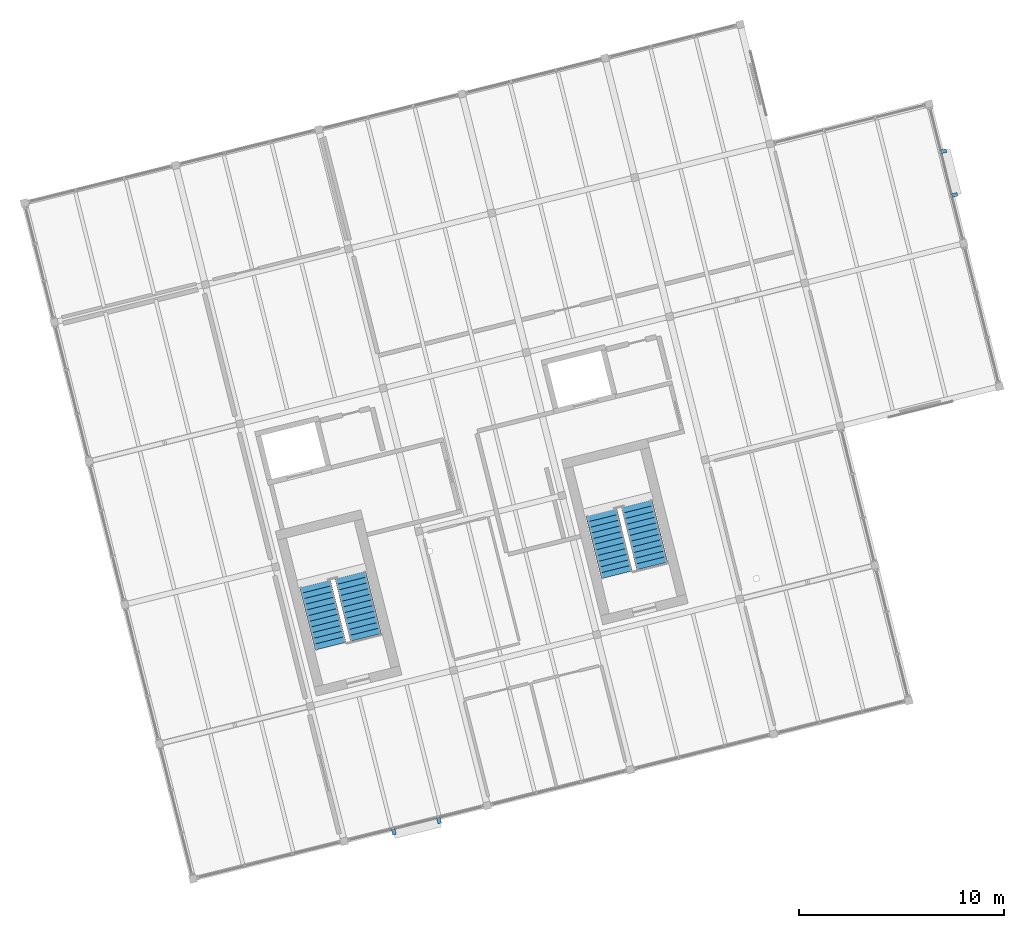
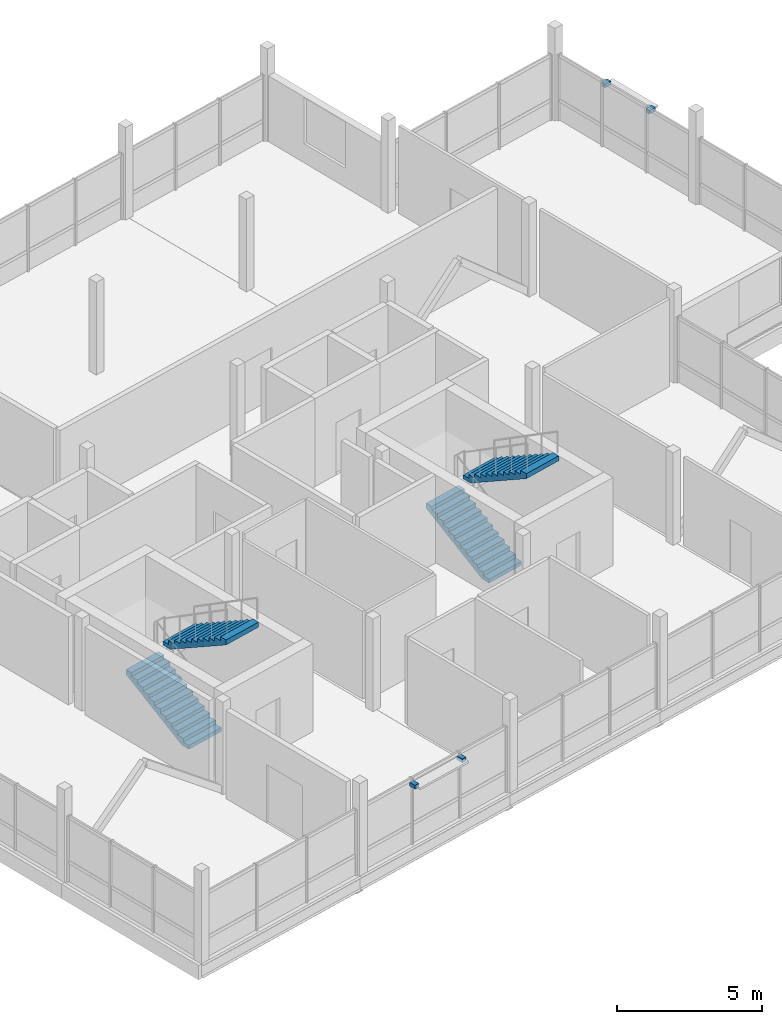
# One storey, part 25 of 26: 4 discrete accessories, 4 stair flights, 2 elements without a shape of their own.
"""IFC4 building model written with IfcOpenShell, lengths in metres."""

from ifc_helpers import new_model, si_unit, direction, frame, origin, origin_2d, place, context, subcontext, project, spatial, polyline, rectangle, outline, extrude, material, type_object, element, aggregate, save


model = new_model("IFC4")

# Units and contexts
model_context = context("Model", 3, precision=1e-05, world=origin(), true_north=direction((0.0, 1.0)))
body_context = subcontext(model_context, "Body", "Model", "MODEL_VIEW")
ifc_project = project(units=[si_unit("LENGTHUNIT", "METRE"), si_unit("AREAUNIT", "SQUARE_METRE"), si_unit("VOLUMEUNIT", "CUBIC_METRE"), si_unit("PLANEANGLEUNIT", "RADIAN"), si_unit("MASSUNIT", "GRAM", prefix="KILO")], contexts=[model_context])

# Site, building, storey
site_placement = place(None, origin())
site = spatial("IfcSite", under=ifc_project, at=site_placement, CompositionType="ELEMENT")
building_placement = place(site_placement, origin())
building = spatial("IfcBuilding", under=site, at=building_placement, Name="Meriwether Solvik Hall", CompositionType="ELEMENT")
storey_placement = place(building_placement, frame((0.0, 0.0, 41.699951171875)))
storey = spatial("IfcBuildingStorey", under=building, at=storey_placement, Name="L10", CompositionType="ELEMENT", Elevation=41.699951171875)

# Stair, stair flights
ifc_material_1 = material(Name="Concrete C40/50", Category="concrete")
stair_type = type_object("IfcStairType", Name="STR-CORE-DOGLEG-A", PredefinedType="TWO_STRAIGHT_RUN_STAIR", material=ifc_material_1)
stair_1_placement = place(storey_placement, origin())
stair_1 = element("IfcStair", 1, at=stair_1_placement, inside=storey, type_object=stair_type, Name="Exit Stair ST-01 (L10)", PredefinedType="TWO_STRAIGHT_RUN_STAIR")
ifc_material_2 = material(Name="Concrete C40/50", Category="concrete")
stair_flight_type = type_object("IfcStairFlightType", Name="SFL-RC-156", PredefinedType="STRAIGHT", material=ifc_material_2)
stair_flight_1_placement = place(storey_placement, frame((75.310791015625, 52.56103515625, 0.0), z_axis=(0.0, 0.0, 1.0), x_axis=(-0.2419218956, 0.970295726276, 0.0)))
stair_flight_1 = element("IfcStairFlight", 2, at=stair_flight_1_placement, type_object=stair_flight_type, Name="Stair ST-01 Lower Flight (L10)", NumberOfRisers=12, NumberOfTreads=11, PredefinedType="STRAIGHT", RiserHeight=0.1625, TreadLength=0.285, context=body_context, shape_type="SweptSolid", body=[
    extrude(outline(polyline([(0.0, 0.0), (0.0, 0.16259765625), (0.284912109375, 0.16259765625), (0.284912109375, 0.324951171875), (0.570068359375, 0.324951171875), (0.570068359375, 0.487548828125), (0.85498046875, 0.487548828125), (0.85498046875, 0.64990234375), (1.139892578125, 0.64990234375), (1.139892578125, 0.8125), (1.425048828125, 0.8125), (1.425048828125, 0.97509765625), (1.7099609375, 0.97509765625), (1.7099609375, 1.137451171875), (1.9951171875, 1.137451171875), (1.9951171875, 1.300048828125), (2.280029296875, 1.300048828125), (2.280029296875, 1.46240234375), (2.56494140625, 1.46240234375), (2.56494140625, 1.625), (2.85009765625, 1.625), (2.85009765625, 1.78759765625), (3.135009765625, 1.78759765625), (3.135009765625, 1.949951171875), (3.135009765625, 1.580322265625), (0.36328125, 0.0), (0.0, 0.0)])), frame((0.0, 0.780029296875, 0.0), z_axis=(0.0, -1.0, 0.0), x_axis=(1.0, 0.0, 0.0)), (0.0, 0.0, 1.0), 1.56005859375),
])
stair_flight_2_placement = place(storey_placement, frame((76.279541015625, 56.033447265625, 1.949951171875), z_axis=(0.0, 0.0, 1.0), x_axis=(0.2419218956, -0.970295726276, 0.0)))
stair_flight_2 = element("IfcStairFlight", 3, at=stair_flight_2_placement, type_object=stair_flight_type, Name="Stair ST-01 Upper Flight (L10)", NumberOfRisers=12, NumberOfTreads=11, PredefinedType="STRAIGHT", RiserHeight=0.1625, TreadLength=0.285, context=body_context, shape_type="SweptSolid", body=[
    extrude(outline(polyline([(0.0, 0.0), (0.0, 0.16259765625), (0.284912109375, 0.16259765625), (0.284912109375, 0.324951171875), (0.570068359375, 0.324951171875), (0.570068359375, 0.487548828125), (0.85498046875, 0.487548828125), (0.85498046875, 0.64990234375), (1.139892578125, 0.64990234375), (1.139892578125, 0.8125), (1.425048828125, 0.8125), (1.425048828125, 0.97509765625), (1.7099609375, 0.97509765625), (1.7099609375, 1.137451171875), (1.9951171875, 1.137451171875), (1.9951171875, 1.300048828125), (2.280029296875, 1.300048828125), (2.280029296875, 1.46240234375), (2.56494140625, 1.46240234375), (2.56494140625, 1.625), (2.85009765625, 1.625), (2.85009765625, 1.78759765625), (3.135009765625, 1.78759765625), (3.135009765625, 1.949951171875), (3.135009765625, 1.580322265625), (0.36328125, 0.0), (0.0, 0.0)])), frame((0.0, 0.780029296875, 0.0), z_axis=(0.0, -1.0, 0.0), x_axis=(1.0, 0.0, 0.0)), (0.0, 0.0, 1.0), 1.56005859375),
])
aggregate(stair_1, [stair_flight_1, stair_flight_2])

stair_2_placement = place(storey_placement, origin())
stair_2 = element("IfcStair", 4, at=stair_2_placement, inside=storey, type_object=stair_type, Name="Exit Stair ST-02 (L10)", PredefinedType="TWO_STRAIGHT_RUN_STAIR")
stair_flight_3_placement = place(storey_placement, frame((89.283203125, 56.044677734375, 0.0), z_axis=(0.0, 0.0, 1.0), x_axis=(-0.2419218956, 0.970295726276, 0.0)))
stair_flight_3 = element("IfcStairFlight", 5, at=stair_flight_3_placement, type_object=stair_flight_type, Name="Stair ST-02 Lower Flight (L10)", NumberOfRisers=12, NumberOfTreads=11, PredefinedType="STRAIGHT", RiserHeight=0.1625, TreadLength=0.285, context=body_context, shape_type="SweptSolid", body=[
    extrude(outline(polyline([(0.0, 0.0), (0.0, 0.16259765625), (0.284912109375, 0.16259765625), (0.284912109375, 0.324951171875), (0.570068359375, 0.324951171875), (0.570068359375, 0.487548828125), (0.85498046875, 0.487548828125), (0.85498046875, 0.64990234375), (1.139892578125, 0.64990234375), (1.139892578125, 0.8125), (1.425048828125, 0.8125), (1.425048828125, 0.97509765625), (1.7099609375, 0.97509765625), (1.7099609375, 1.137451171875), (1.9951171875, 1.137451171875), (1.9951171875, 1.300048828125), (2.280029296875, 1.300048828125), (2.280029296875, 1.46240234375), (2.56494140625, 1.46240234375), (2.56494140625, 1.625), (2.85009765625, 1.625), (2.85009765625, 1.78759765625), (3.135009765625, 1.78759765625), (3.135009765625, 1.949951171875), (3.135009765625, 1.580322265625), (0.36328125, 0.0), (0.0, 0.0)])), frame((0.0, 0.780029296875, 0.0), z_axis=(0.0, -1.0, 0.0), x_axis=(1.0, 0.0, 0.0)), (0.0, 0.0, 1.0), 1.56005859375),
])
stair_flight_4_placement = place(storey_placement, frame((90.251953125, 59.51708984375, 1.949951171875), z_axis=(0.0, 0.0, 1.0), x_axis=(0.2419218956, -0.970295726276, 0.0)))
stair_flight_4 = element("IfcStairFlight", 6, at=stair_flight_4_placement, type_object=stair_flight_type, Name="Stair ST-02 Upper Flight (L10)", NumberOfRisers=12, NumberOfTreads=11, PredefinedType="STRAIGHT", RiserHeight=0.1625, TreadLength=0.285, context=body_context, shape_type="SweptSolid", body=[
    extrude(outline(polyline([(0.0, 0.0), (0.0, 0.16259765625), (0.284912109375, 0.16259765625), (0.284912109375, 0.324951171875), (0.570068359375, 0.324951171875), (0.570068359375, 0.487548828125), (0.85498046875, 0.487548828125), (0.85498046875, 0.64990234375), (1.139892578125, 0.64990234375), (1.139892578125, 0.8125), (1.425048828125, 0.8125), (1.425048828125, 0.97509765625), (1.7099609375, 0.97509765625), (1.7099609375, 1.137451171875), (1.9951171875, 1.137451171875), (1.9951171875, 1.300048828125), (2.280029296875, 1.300048828125), (2.280029296875, 1.46240234375), (2.56494140625, 1.46240234375), (2.56494140625, 1.625), (2.85009765625, 1.625), (2.85009765625, 1.78759765625), (3.135009765625, 1.78759765625), (3.135009765625, 1.949951171875), (3.135009765625, 1.580322265625), (0.36328125, 0.0), (0.0, 0.0)])), frame((0.0, 0.780029296875, 0.0), z_axis=(0.0, -1.0, 0.0), x_axis=(1.0, 0.0, 0.0)), (0.0, 0.0, 1.0), 1.56005859375),
])
aggregate(stair_2, [stair_flight_3, stair_flight_4])

# Discrete accessories
ifc_material_3 = material(Name="Steel A36 Galvanised", Category="steel")
discrete_accessory_type = type_object("IfcDiscreteAccessoryType", Name="ACC-BRK-STL", PredefinedType="BRACKET", material=ifc_material_3)
for number, where, z_axis, x_axis, name in (
    (7, (80.6025390625, 44.04833984375, 2.47021484375), (0.0, 0.0, 1.0), (-0.970295725693, -0.241921897937, 0.0), "Sunshade Outrigger Bracket E0_B1-1"),
    (8, (78.399658203125, 43.4990234375, 2.47021484375), (0.0, 0.0, 1.0), (-0.970295725693, -0.241921897937, 0.0), "Sunshade Outrigger Bracket E0_B1-2"),
    (9, (105.235107421875, 76.7197265625, 2.47021484375), (0.0, 0.0, 1.0), (0.241921804422, -0.970295749009, 0.0), "Sunshade Outrigger Bracket E3_B1-1"),
    (10, (105.768310546875, 74.58154296875, 2.47021484375), (0.0, 0.0, 1.0), (0.241921804422, -0.970295749009, 0.0), "Sunshade Outrigger Bracket E3_B1-2"),
):
    element("IfcDiscreteAccessory", number, at=place(storey_placement, frame(where, z_axis=z_axis, x_axis=x_axis)), inside=storey, type_object=discrete_accessory_type, Name=name, PredefinedType="BRACKET", context=body_context, shape_type="SweptSolid", body=[
        extrude(rectangle(XDim=0.179931640625, YDim=0.280029296875, at=origin_2d()), origin(), (0.0, 0.0, 1.0), 0.159912109375),
    ])

save(model, "model.ifc")
